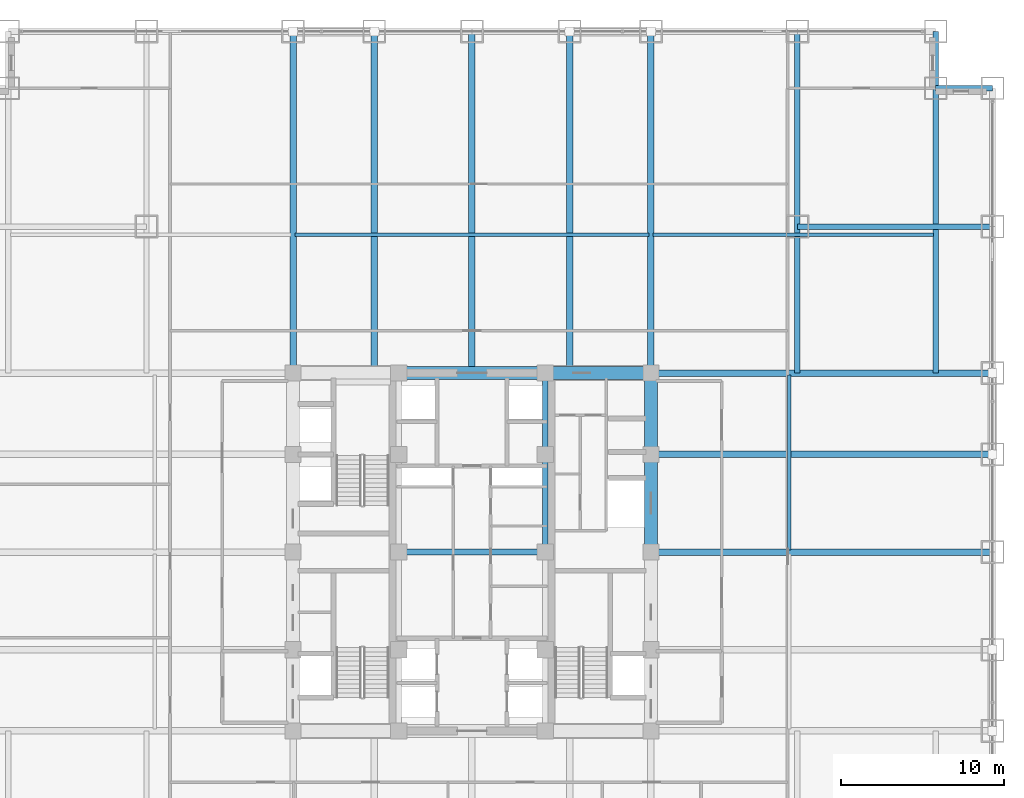
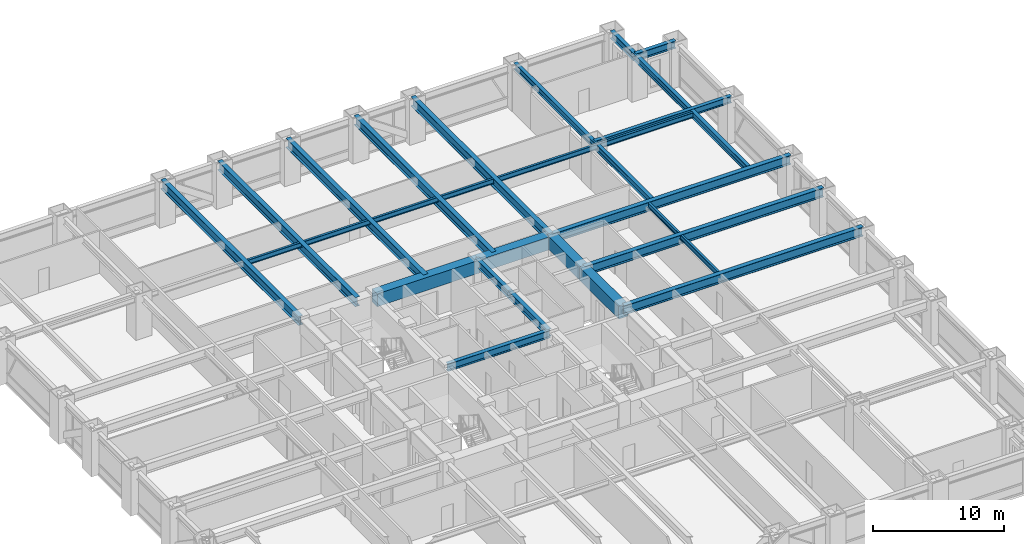
# One storey, part 15 of 27: 23 beams.
"""IFC4 building model written with IfcOpenShell, lengths in metres."""

from ifc_helpers import new_model, si_unit, direction, frame, origin, origin_2d, place, context, subcontext, project, spatial, rectangle, i_section, extrude, source, transform, mapped, material, material_profile, profile_set, type_object, element, save


model = new_model("IFC4")

# Units and contexts
model_context = context("Model", 3, precision=1e-05, world=origin(), true_north=direction((0.0, 1.0)))
body_context = subcontext(model_context, "Body", "Model", "MODEL_VIEW")
ifc_project = project(units=[si_unit("LENGTHUNIT", "METRE"), si_unit("AREAUNIT", "SQUARE_METRE"), si_unit("VOLUMEUNIT", "CUBIC_METRE"), si_unit("PLANEANGLEUNIT", "RADIAN"), si_unit("MASSUNIT", "GRAM", prefix="KILO")], contexts=[model_context])

# Site, building, storey
site_placement = place(None, origin())
site = spatial("IfcSite", under=ifc_project, at=site_placement, CompositionType="ELEMENT")
building_placement = place(site_placement, origin())
building = spatial("IfcBuilding", under=site, at=building_placement, Name="Khorayat Bourse Tower", CompositionType="ELEMENT")
storey_placement = place(building_placement, frame((0.0, 0.0, 53.60009765625)))
storey = spatial("IfcBuildingStorey", under=building, at=storey_placement, Name="L11", CompositionType="ELEMENT", Elevation=53.60009765625)

# Beams
ifc_material_1 = material(Name="Concrete C72/90", Category="concrete")
ifc_material_profile_1 = material_profile(ifc_material_1, rectangle(XDim=0.800048828125, YDim=1.199951171875, at=origin_2d()), Name="RC 800x1200")
ifc_profile_set_1 = profile_set([ifc_material_profile_1], Name="Concrete C72/90")
beam_type_1 = type_object("IfcBeamType", Name="BM-COUP-1200", PredefinedType="BEAM", material=ifc_profile_set_1)
shared_shape_1 = source(origin(), body_context, "Body", "SweptSolid", [
    extrude(rectangle(XDim=0.800048828125, YDim=1.199951171875, at=origin_2d()), origin(), (0.0, 0.0, 1.0), 5.0),
])
beam_1_placement = place(storey_placement, frame((11.0, 6.0, 3.33984375), z_axis=(0.0, 1.0, 0.0), x_axis=(-1.0, 0.0, 0.0)))
element("IfcBeam", 1, at=beam_1_placement, inside=storey, type_object=beam_type_1, Name="L11 BM-COUP-1200 BM-L11-CRX-16", PredefinedType="BEAM", context=body_context, shape_type="MappedRepresentation", body=[
    mapped(shared_shape_1, transform((0.0, 0.0, 0.0), scale=1.0)),
])
shared_shape_2 = source(origin(), body_context, "Body", "SweptSolid", [
    extrude(rectangle(XDim=0.800048828125, YDim=1.199951171875, at=origin_2d()), origin(), (0.0, 0.0, 1.0), 6.0),
])
beam_2_placement = place(storey_placement, frame((11.0, 0.0, 3.33984375), z_axis=(0.0, 1.0, 0.0), x_axis=(-1.0, 0.0, 0.0)))
element("IfcBeam", 2, at=beam_2_placement, inside=storey, type_object=beam_type_1, Name="L11 BM-COUP-1200 BM-L11-CRX-15", PredefinedType="BEAM", context=body_context, shape_type="MappedRepresentation", body=[
    mapped(shared_shape_2, transform((0.0, 0.0, 0.0), scale=1.0)),
])
ifc_material_2 = material(Name="Steel ASTM A992 Grade 50", Category="steel")
ifc_material_profile_2 = material_profile(ifc_material_2, i_section(OverallWidth=0.35498046875, OverallDepth=0.695068359375, WebThickness=0.015380859375, FlangeThickness=0.02490234375, FilletRadius=0.01806640625, at=origin_2d()), Name="W690X217")
ifc_profile_set_2 = profile_set([ifc_material_profile_2], Name="Steel ASTM A992 Grade 50")
beam_type_2 = type_object("IfcBeamType", Name="BM-GIRD-690", PredefinedType="BEAM", material=ifc_profile_set_2)
shared_shape_3 = source(origin(), body_context, "Body", "SweptSolid", [
    extrude(i_section(OverallWidth=0.35498046875, OverallDepth=0.695068359375, WebThickness=0.015380859375, FlangeThickness=0.02490234375, FilletRadius=0.01806640625, at=origin_2d()), origin(), (0.0, 0.0, 1.0), 5.0),
])
beam_3_placement = place(storey_placement, frame((4.5, 6.0, 3.59228515625), z_axis=(0.0, 1.0, 0.0), x_axis=(-1.0, 0.0, 0.0)))
element("IfcBeam", 3, at=beam_3_placement, inside=storey, type_object=beam_type_2, Name="L11 BM-GIRD-690 BM-L11-CRX-12", PredefinedType="BEAM", context=body_context, shape_type="MappedRepresentation", body=[
    mapped(shared_shape_3, transform((0.0, 0.0, 0.0), scale=1.0)),
])
shared_shape_4 = source(origin(), body_context, "Body", "SweptSolid", [
    extrude(i_section(OverallWidth=0.35498046875, OverallDepth=0.695068359375, WebThickness=0.015380859375, FlangeThickness=0.02490234375, FilletRadius=0.01806640625, at=origin_2d()), origin(), (0.0, 0.0, 1.0), 6.0),
])
beam_4_placement = place(storey_placement, frame((4.5, 0.0, 3.59228515625), z_axis=(0.0, 1.0, 0.0), x_axis=(-1.0, 0.0, 0.0)))
element("IfcBeam", 4, at=beam_4_placement, inside=storey, type_object=beam_type_2, Name="L11 BM-GIRD-690 BM-L11-CRX-11", PredefinedType="BEAM", context=body_context, shape_type="MappedRepresentation", body=[
    mapped(shared_shape_4, transform((0.0, 0.0, 0.0), scale=1.0)),
])
shared_shape_5 = source(origin(), body_context, "Body", "SweptSolid", [
    extrude(rectangle(XDim=0.800048828125, YDim=1.199951171875, at=origin_2d()), origin(), (0.0, 0.0, 1.0), 6.5),
])
beam_5_placement = place(storey_placement, frame((4.5, 11.0, 3.33984375), z_axis=(1.0, 0.0, 0.0), x_axis=(0.0, 1.0, 0.0)))
element("IfcBeam", 5, at=beam_5_placement, inside=storey, type_object=beam_type_1, Name="L11 BM-COUP-1200 BM-L11-CRY-22", PredefinedType="BEAM", context=body_context, shape_type="MappedRepresentation", body=[
    mapped(shared_shape_5, transform((0.0, 0.0, 0.0), scale=1.0)),
])
shared_shape_6 = source(origin(), body_context, "Body", "SweptSolid", [
    extrude(rectangle(XDim=0.800048828125, YDim=1.199951171875, at=origin_2d()), origin(), (0.0, 0.0, 1.0), 9.0),
])
beam_6_placement = place(storey_placement, frame((-4.5, 11.0, 3.33984375), z_axis=(1.0, 0.0, 0.0), x_axis=(0.0, 1.0, 0.0)))
element("IfcBeam", 6, at=beam_6_placement, inside=storey, type_object=beam_type_1, Name="L11 BM-COUP-1200 BM-L11-CRY-21", PredefinedType="BEAM", context=body_context, shape_type="MappedRepresentation", body=[
    mapped(shared_shape_6, transform((0.0, 0.0, 0.0), scale=1.0)),
])
shared_shape_7 = source(origin(), body_context, "Body", "SweptSolid", [
    extrude(i_section(OverallWidth=0.35498046875, OverallDepth=0.695068359375, WebThickness=0.015380859375, FlangeThickness=0.02490234375, FilletRadius=0.01806640625, at=origin_2d()), origin(), (0.0, 0.0, 1.0), 9.0),
])
beam_7_placement = place(storey_placement, frame((-4.5, 0.0, 3.59228515625), z_axis=(1.0, 0.0, 0.0), x_axis=(0.0, 1.0, 0.0)))
element("IfcBeam", 7, at=beam_7_placement, inside=storey, type_object=beam_type_2, Name="L11 BM-GIRD-690 BM-L11-CRY-23", PredefinedType="BEAM", context=body_context, shape_type="MappedRepresentation", body=[
    mapped(shared_shape_7, transform((0.0, 0.0, 0.0), scale=1.0)),
])
ifc_material_profile_3 = material_profile(ifc_material_2, i_section(OverallWidth=0.35498046875, OverallDepth=0.695068359375, WebThickness=0.015380859375, FlangeThickness=0.02490234375, FilletRadius=0.01806640625, at=origin_2d()), Name="W690X217")
ifc_profile_set_3 = profile_set([ifc_material_profile_3], Name="Steel ASTM A992 Grade 50")
beam_type_3 = type_object("IfcBeamType", Name="BM-SPAN-690", PredefinedType="SPANDREL", material=ifc_profile_set_3)
shared_shape_8 = source(origin(), body_context, "Body", "SweptSolid", [
    extrude(i_section(OverallWidth=0.35498046875, OverallDepth=0.695068359375, WebThickness=0.015380859375, FlangeThickness=0.02490234375, FilletRadius=0.01806640625, at=origin_2d()), origin(), (0.0, 0.0, 1.0), 3.5),
])
for number, where, z_axis, x_axis, name in (
    (8, (28.5, 28.5, 3.59228515625), (1.0, 0.0, 0.0), (0.0, 1.0, 0.0), "L11 BM-SPAN-690 BM-L11-SPN-042"),
    (9, (28.5, 28.5, 3.59228515625), (0.0, 1.0, 0.0), (-1.0, 0.0, 0.0), "L11 BM-SPAN-690 BM-L11-SPN-043"),
):
    element("IfcBeam", number, at=place(storey_placement, frame(where, z_axis=z_axis, x_axis=x_axis)), inside=storey, type_object=beam_type_3, Name=name, PredefinedType="SPANDREL", context=body_context, shape_type="MappedRepresentation", body=[
        mapped(shared_shape_8, transform((0.0, 0.0, 0.0), scale=1.0)),
    ])
ifc_material_profile_4 = material_profile(ifc_material_2, i_section(OverallWidth=0.39990234375, OverallDepth=0.85498046875, WebThickness=0.018310546875, FlangeThickness=0.029296875, FilletRadius=0.02001953125, at=origin_2d()), Name="W840X299")
ifc_profile_set_4 = profile_set([ifc_material_profile_4], Name="Steel ASTM A992 Grade 50")
beam_type_4 = type_object("IfcBeamType", Name="BM-GIRD-840", PredefinedType="BEAM", material=ifc_profile_set_4)
shared_shape_9 = source(origin(), body_context, "Body", "SweptSolid", [
    extrude(i_section(OverallWidth=0.39990234375, OverallDepth=0.85498046875, WebThickness=0.018310546875, FlangeThickness=0.029296875, FilletRadius=0.02001953125, at=origin_2d()), origin(), (0.0, 0.0, 1.0), 21.0),
])
for number, where, z_axis, x_axis, name in (
    (10, (-11.0, 11.0, 3.512451171875), (0.0, 1.0, 0.0), (-1.0, 0.0, 0.0), "L11 BM-GIRD-840 BM-L11-RADY-064"),
    (11, (-6.0, 11.0, 3.512451171875), (0.0, 1.0, 0.0), (-1.0, 0.0, 0.0), "L11 BM-GIRD-840 BM-L11-RADY-066"),
    (12, (0.0, 11.0, 3.512451171875), (0.0, 1.0, 0.0), (-1.0, 0.0, 0.0), "L11 BM-GIRD-840 BM-L11-RADY-068"),
    (13, (6.0, 11.0, 3.512451171875), (0.0, 1.0, 0.0), (-1.0, 0.0, 0.0), "L11 BM-GIRD-840 BM-L11-RADY-070"),
    (14, (11.0, 11.0, 3.512451171875), (0.0, 1.0, 0.0), (-1.0, 0.0, 0.0), "L11 BM-GIRD-840 BM-L11-RADY-072"),
    (15, (11.0, 0.0, 3.512451171875), (1.0, 0.0, 0.0), (0.0, 1.0, 0.0), "L11 BM-GIRD-840 BM-L11-RADX-078"),
    (16, (11.0, 6.0, 3.512451171875), (1.0, 0.0, 0.0), (0.0, 1.0, 0.0), "L11 BM-GIRD-840 BM-L11-RADX-080"),
    (17, (11.0, 11.0, 3.512451171875), (1.0, 0.0, 0.0), (0.0, 1.0, 0.0), "L11 BM-GIRD-840 BM-L11-RADX-082"),
):
    element("IfcBeam", number, at=place(storey_placement, frame(where, z_axis=z_axis, x_axis=x_axis)), inside=storey, type_object=beam_type_4, Name=name, PredefinedType="BEAM", context=body_context, shape_type="MappedRepresentation", body=[
        mapped(shared_shape_9, transform((0.0, 0.0, 0.0), scale=1.0)),
    ])
ifc_material_profile_5 = material_profile(ifc_material_2, i_section(OverallWidth=0.324951171875, OverallDepth=0.615966796875, WebThickness=0.013916015625, FlangeThickness=0.021484375, FilletRadius=0.01611328125, at=origin_2d()), Name="W610X174")
ifc_profile_set_5 = profile_set([ifc_material_profile_5], Name="Steel ASTM A992 Grade 50")
beam_type_5 = type_object("IfcBeamType", Name="BM-GIRD-610", PredefinedType="BEAM", material=ifc_profile_set_5)
shared_shape_10 = source(origin(), body_context, "Body", "SweptSolid", [
    extrude(i_section(OverallWidth=0.324951171875, OverallDepth=0.615966796875, WebThickness=0.013916015625, FlangeThickness=0.021484375, FilletRadius=0.01611328125, at=origin_2d()), origin(), (0.0, 0.0, 1.0), 21.0),
])
beam_8_placement = place(storey_placement, frame((20.0, 11.0, 3.6318359375), z_axis=(0.0, 1.0, 0.0), x_axis=(-1.0, 0.0, 0.0)))
element("IfcBeam", 18, at=beam_8_placement, inside=storey, type_object=beam_type_5, Name="L11 BM-GIRD-610 BM-L11-CNRY-087", PredefinedType="BEAM", context=body_context, shape_type="MappedRepresentation", body=[
    mapped(shared_shape_10, transform((0.0, 0.0, 0.0), scale=1.0)),
])
shared_shape_11 = source(origin(), body_context, "Body", "SweptSolid", [
    extrude(i_section(OverallWidth=0.324951171875, OverallDepth=0.615966796875, WebThickness=0.013916015625, FlangeThickness=0.021484375, FilletRadius=0.01611328125, at=origin_2d()), origin(), (0.0, 0.0, 1.0), 17.5),
])
beam_9_placement = place(storey_placement, frame((28.5, 11.0, 3.6318359375), z_axis=(0.0, 1.0, 0.0), x_axis=(-1.0, 0.0, 0.0)))
element("IfcBeam", 19, at=beam_9_placement, inside=storey, type_object=beam_type_5, Name="L11 BM-GIRD-610 BM-L11-CNRY-091", PredefinedType="BEAM", context=body_context, shape_type="MappedRepresentation", body=[
    mapped(shared_shape_11, transform((0.0, 0.0, 0.0), scale=1.0)),
])
shared_shape_12 = source(origin(), body_context, "Body", "SweptSolid", [
    extrude(i_section(OverallWidth=0.324951171875, OverallDepth=0.615966796875, WebThickness=0.013916015625, FlangeThickness=0.021484375, FilletRadius=0.01611328125, at=origin_2d()), origin(), (0.0, 0.0, 1.0), 12.0),
])
beam_10_placement = place(storey_placement, frame((20.0, 20.0, 3.6318359375), z_axis=(1.0, 0.0, 0.0), x_axis=(0.0, 1.0, 0.0)))
element("IfcBeam", 20, at=beam_10_placement, inside=storey, type_object=beam_type_5, Name="L11 BM-GIRD-610 BM-L11-CNRX-094", PredefinedType="BEAM", context=body_context, shape_type="MappedRepresentation", body=[
    mapped(shared_shape_12, transform((0.0, 0.0, 0.0), scale=1.0)),
])
ifc_material_profile_6 = material_profile(ifc_material_2, i_section(OverallWidth=0.194091796875, OverallDepth=0.468994140625, WebThickness=0.0126953125, FlangeThickness=0.0205078125, FilletRadius=0.012939453125, at=origin_2d()), Name="W460X106")
ifc_profile_set_6 = profile_set([ifc_material_profile_6], Name="Steel ASTM A992 Grade 50")
beam_type_6 = type_object("IfcBeamType", Name="BM-JOIST-460", PredefinedType="JOIST", material=ifc_profile_set_6)
shared_shape_13 = source(origin(), body_context, "Body", "SweptSolid", [
    extrude(i_section(OverallWidth=0.194091796875, OverallDepth=0.468994140625, WebThickness=0.0126953125, FlangeThickness=0.0205078125, FilletRadius=0.012939453125, at=origin_2d()), origin(), (0.0, 0.0, 1.0), 17.240234375),
])
beam_11_placement = place(storey_placement, frame((11.1298828125, 19.5, 3.705322265625), z_axis=(1.0, 0.0, 0.0), x_axis=(0.0, 1.0, 0.0)))
element("IfcBeam", 21, at=beam_11_placement, inside=storey, type_object=beam_type_6, Name="L11 BM-JOIST-460 BM-L11-JSTX-101", PredefinedType="JOIST", context=body_context, shape_type="MappedRepresentation", body=[
    mapped(shared_shape_13, transform((0.0, 0.0, 0.0), scale=1.0)),
])
shared_shape_14 = source(origin(), body_context, "Body", "SweptSolid", [
    extrude(i_section(OverallWidth=0.194091796875, OverallDepth=0.468994140625, WebThickness=0.0126953125, FlangeThickness=0.0205078125, FilletRadius=0.012939453125, at=origin_2d()), origin(), (0.0, 0.0, 1.0), 21.740234375),
])
beam_12_placement = place(storey_placement, frame((-10.8701171875, 19.5, 3.705322265625), z_axis=(1.0, 0.0, 0.0), x_axis=(0.0, 1.0, 0.0)))
element("IfcBeam", 22, at=beam_12_placement, inside=storey, type_object=beam_type_6, Name="L11 BM-JOIST-460 BM-L11-JSTX-100", PredefinedType="JOIST", context=body_context, shape_type="MappedRepresentation", body=[
    mapped(shared_shape_14, transform((0.0, 0.0, 0.0), scale=1.0)),
])
shared_shape_15 = source(origin(), body_context, "Body", "SweptSolid", [
    extrude(i_section(OverallWidth=0.194091796875, OverallDepth=0.468994140625, WebThickness=0.0126953125, FlangeThickness=0.0205078125, FilletRadius=0.012939453125, at=origin_2d()), origin(), (0.0, 0.0, 1.0), 10.740234375),
])
beam_13_placement = place(storey_placement, frame((19.5, 0.1298828125, 3.705322265625), z_axis=(0.0, 1.0, 0.0), x_axis=(-1.0, 0.0, 0.0)))
element("IfcBeam", 23, at=beam_13_placement, inside=storey, type_object=beam_type_6, Name="L11 BM-JOIST-460 BM-L11-JSTY-105", PredefinedType="JOIST", context=body_context, shape_type="MappedRepresentation", body=[
    mapped(shared_shape_15, transform((0.0, 0.0, 0.0), scale=1.0)),
])

save(model, "model.ifc")
